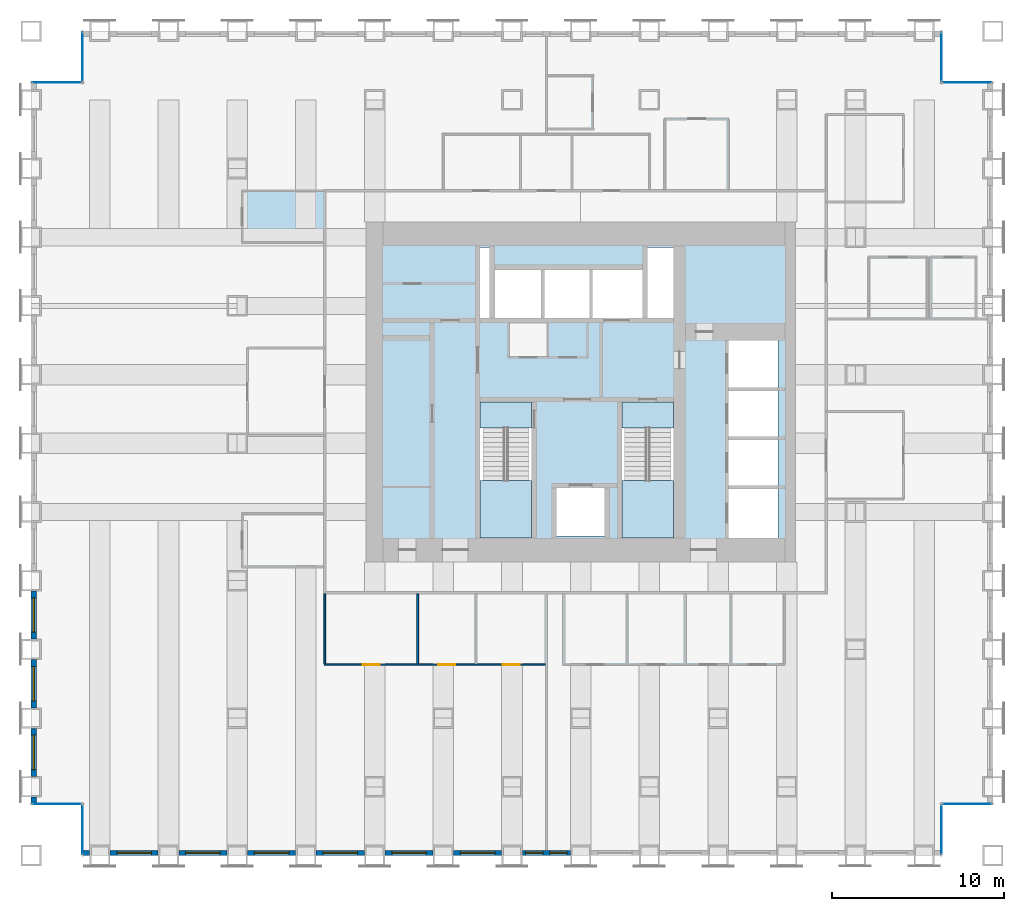
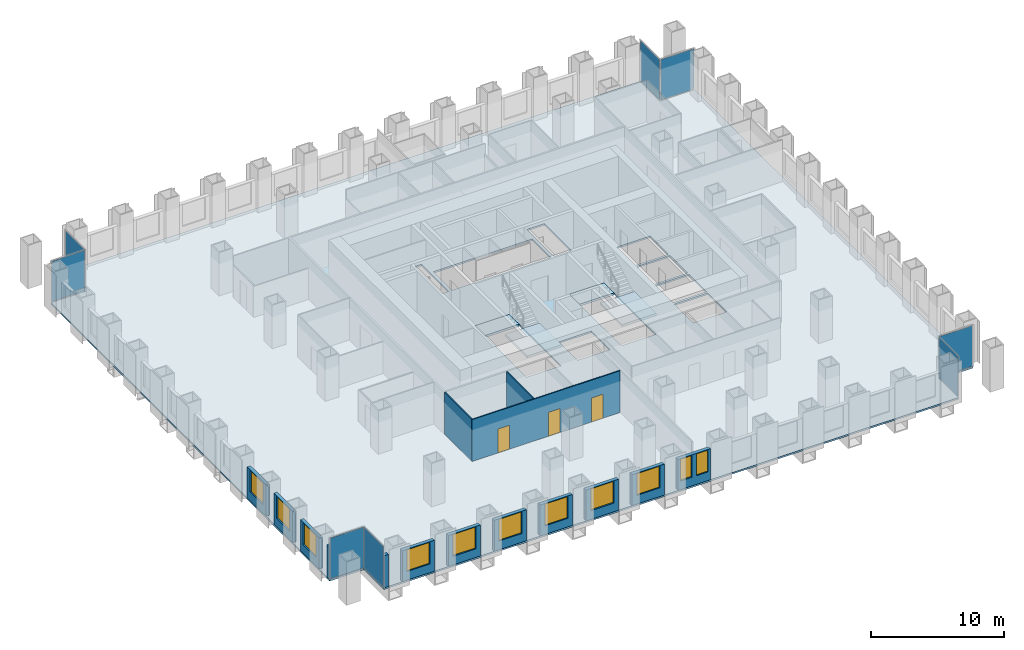
# One storey, part 7 of 14: 15 walls, 11 windows, 8 plates, 5 slabs, 3 doors, 14 openings, 10 elements without a shape of their own.
"""IFC4 building model written with IfcOpenShell, lengths in metres."""

from ifc_helpers import new_model, si_unit, direction, frame, frame_2d, origin, origin_2d, place, context, subcontext, project, spatial, polyline, rectangle, outline, extrude, material, layer, layer_set, type_object, element, fill, aggregate, save


model = new_model("IFC4")

# Units and contexts
model_context = context("Model", 3, precision=1e-05, world=origin(), true_north=direction((0.0, 1.0)))
body_context = subcontext(model_context, "Body", "Model", "MODEL_VIEW")
ifc_project = project(units=[si_unit("LENGTHUNIT", "METRE"), si_unit("AREAUNIT", "SQUARE_METRE"), si_unit("VOLUMEUNIT", "CUBIC_METRE"), si_unit("PLANEANGLEUNIT", "RADIAN"), si_unit("MASSUNIT", "GRAM", prefix="KILO")], contexts=[model_context])

# Site, building, storey
site_placement = place(None, origin())
site = spatial("IfcSite", under=ifc_project, at=site_placement, CompositionType="ELEMENT")
building_placement = place(site_placement, origin())
building = spatial("IfcBuilding", under=site, at=building_placement, Name="Rimbunsela Tower", CompositionType="ELEMENT")
storey_placement = place(building_placement, frame((0.0, 0.0, 47.0)))
storey = spatial("IfcBuildingStorey", under=building, at=storey_placement, Name="L11", CompositionType="ELEMENT", Elevation=47.0)

# Slab
ifc_material_1 = material(Name="Concrete fc' 35 MPa", Category="concrete")
ifc_layer_1 = layer(ifc_material_1, 0.14990234375)
ifc_layer_set_1 = layer_set([ifc_layer_1], Name="Floor slab 150")
slab_type_1 = type_object("IfcSlabType", Name="Floor slab 150", PredefinedType="FLOOR", material=ifc_layer_set_1)
slab_1_placement = place(storey_placement, frame((0.0, 0.0, -0.14990234375)))
element("IfcSlab", 1, at=slab_1_placement, inside=storey, type_object=slab_type_1, Name="Floor slab L11", PredefinedType="FLOOR", context=body_context, shape_type="SweptSolid", body=[
    extrude(outline(polyline([(1.0, 0.0), (51.0, 0.0), (51.0, 3.0), (54.0, 3.0), (54.0, 45.0), (51.0, 45.0), (51.0, 48.0), (1.0, 48.0), (1.0, 45.0), (-2.0, 45.0), (-2.0, 3.0), (1.0, 3.0), (1.0, 0.0)]), holes=[polyline([(27.14990234375, 18.60009765625), (27.14990234375, 26.39990234375), (24.14990234375, 26.39990234375), (24.14990234375, 18.60009765625), (27.14990234375, 18.60009765625)]), polyline([(24.699951171875, 31.300048828125), (24.699951171875, 35.39990234375), (24.14990234375, 35.39990234375), (24.14990234375, 31.300048828125), (24.699951171875, 31.300048828125)]), polyline([(25.0, 34.10009765625), (25.0, 31.300048828125), (33.60009765625, 31.300048828125), (33.60009765625, 34.10009765625), (25.0, 34.10009765625)]), polyline([(31.39990234375, 21.39990234375), (28.60009765625, 21.39990234375), (28.60009765625, 18.60009765625), (31.39990234375, 18.60009765625), (31.39990234375, 21.39990234375)]), polyline([(35.39990234375, 18.60009765625), (35.39990234375, 26.39990234375), (32.39990234375, 26.39990234375), (32.39990234375, 18.60009765625), (35.39990234375, 18.60009765625)]), polyline([(35.39990234375, 31.300048828125), (35.39990234375, 35.39990234375), (33.89990234375, 35.39990234375), (33.89990234375, 31.300048828125), (35.39990234375, 31.300048828125)]), polyline([(41.5, 21.35009765625), (38.60009765625, 21.35009765625), (38.60009765625, 18.5), (41.5, 18.5), (41.5, 21.35009765625)]), polyline([(41.5, 21.550048828125), (41.5, 24.199951171875), (38.60009765625, 24.199951171875), (38.60009765625, 21.550048828125), (41.5, 21.550048828125)]), polyline([(41.5, 27.050048828125), (38.60009765625, 27.050048828125), (38.60009765625, 24.39990234375), (41.5, 24.39990234375), (41.5, 27.050048828125)]), polyline([(41.5, 27.25), (41.5, 30.0), (38.60009765625, 30.0), (38.60009765625, 27.25), (41.5, 27.25)])]), origin(), (0.0, 0.0, 1.0), 0.14990234375),
])

# Curtain wall, plate
ifc_material_2 = material(Name="Aluminium curtain wall", Category="aluminium")
curtain_wall_type = type_object("IfcCurtainWallType", Name="Corner glazing", PredefinedType="USERDEFINED", material=ifc_material_2)
curtain_wall_1_placement = place(storey_placement, origin())
curtain_wall_1 = element("IfcCurtainWall", 2, at=curtain_wall_1_placement, inside=storey, type_object=curtain_wall_type, Name="Corner glazing L11", ObjectType="CORNER GLAZING", PredefinedType="USERDEFINED")
ifc_material_3 = material(Name="Clear double glazing", Category="glass")
ifc_layer_2 = layer(ifc_material_3, 0.028076171875)
ifc_layer_set_2 = layer_set([ifc_layer_2], Name="Glazed panel clear")
plate_type = type_object("IfcPlateType", Name="Glazed panel clear", PredefinedType="CURTAIN_PANEL", material=ifc_layer_set_2)
plate_1_placement = place(storey_placement, frame((51.0, 1.5, 0.06005859375), z_axis=(0.0, 0.0, 1.0), x_axis=(0.0, 1.0, 0.0)))
plate_1 = element("IfcPlate", 3, at=plate_1_placement, type_object=plate_type, Name="CW5 panel 1.1", PredefinedType="CURTAIN_PANEL", context=body_context, shape_type="SweptSolid", body=[
    extrude(rectangle(XDim=2.8798828125, YDim=0.028076171875, at=origin_2d()), origin(), (0.0, 0.0, 1.0), 3.72998046875),
])
aggregate(curtain_wall_1, [plate_1])

curtain_wall_2_placement = place(storey_placement, origin())
curtain_wall_2 = element("IfcCurtainWall", 4, at=curtain_wall_2_placement, inside=storey, type_object=curtain_wall_type, Name="Corner glazing L11", ObjectType="CORNER GLAZING", PredefinedType="USERDEFINED")
plate_2_placement = place(storey_placement, frame((52.5, 3.0, 0.06005859375), z_axis=(0.0, 0.0, 1.0), x_axis=(1.0, 0.0, 0.0)))
plate_2 = element("IfcPlate", 5, at=plate_2_placement, type_object=plate_type, Name="CW5 panel 1.1", PredefinedType="CURTAIN_PANEL", context=body_context, shape_type="SweptSolid", body=[
    extrude(rectangle(XDim=2.8798828125, YDim=0.028076171875, at=origin_2d()), origin(), (0.0, 0.0, 1.0), 3.72998046875),
])
aggregate(curtain_wall_2, [plate_2])

curtain_wall_3_placement = place(storey_placement, origin())
curtain_wall_3 = element("IfcCurtainWall", 6, at=curtain_wall_3_placement, inside=storey, type_object=curtain_wall_type, Name="Corner glazing L11", ObjectType="CORNER GLAZING", PredefinedType="USERDEFINED")
plate_3_placement = place(storey_placement, frame((52.5, 45.0, 0.06005859375), z_axis=(0.0, 0.0, 1.0), x_axis=(-1.0, 0.0, 0.0)))
plate_3 = element("IfcPlate", 7, at=plate_3_placement, type_object=plate_type, Name="CW5 panel 1.1", PredefinedType="CURTAIN_PANEL", context=body_context, shape_type="SweptSolid", body=[
    extrude(rectangle(XDim=2.8798828125, YDim=0.028076171875, at=origin_2d()), origin(), (0.0, 0.0, 1.0), 3.72998046875),
])
aggregate(curtain_wall_3, [plate_3])

curtain_wall_4_placement = place(storey_placement, origin())
curtain_wall_4 = element("IfcCurtainWall", 8, at=curtain_wall_4_placement, inside=storey, type_object=curtain_wall_type, Name="Corner glazing L11", ObjectType="CORNER GLAZING", PredefinedType="USERDEFINED")
plate_4_placement = place(storey_placement, frame((51.0, 46.5, 0.06005859375), z_axis=(0.0, 0.0, 1.0), x_axis=(0.0, 1.0, 0.0)))
plate_4 = element("IfcPlate", 9, at=plate_4_placement, type_object=plate_type, Name="CW5 panel 1.1", PredefinedType="CURTAIN_PANEL", context=body_context, shape_type="SweptSolid", body=[
    extrude(rectangle(XDim=2.8798828125, YDim=0.028076171875, at=origin_2d()), origin(), (0.0, 0.0, 1.0), 3.72998046875),
])
aggregate(curtain_wall_4, [plate_4])

curtain_wall_5_placement = place(storey_placement, origin())
curtain_wall_5 = element("IfcCurtainWall", 10, at=curtain_wall_5_placement, inside=storey, type_object=curtain_wall_type, Name="Corner glazing L11", ObjectType="CORNER GLAZING", PredefinedType="USERDEFINED")
plate_5_placement = place(storey_placement, frame((1.0, 46.5, 0.06005859375), z_axis=(0.0, 0.0, 1.0), x_axis=(0.0, -1.0, 0.0)))
plate_5 = element("IfcPlate", 11, at=plate_5_placement, type_object=plate_type, Name="CW5 panel 1.1", PredefinedType="CURTAIN_PANEL", context=body_context, shape_type="SweptSolid", body=[
    extrude(rectangle(XDim=2.8798828125, YDim=0.028076171875, at=origin_2d()), origin(), (0.0, 0.0, 1.0), 3.72998046875),
])
aggregate(curtain_wall_5, [plate_5])

curtain_wall_6_placement = place(storey_placement, origin())
curtain_wall_6 = element("IfcCurtainWall", 12, at=curtain_wall_6_placement, inside=storey, type_object=curtain_wall_type, Name="Corner glazing L11", ObjectType="CORNER GLAZING", PredefinedType="USERDEFINED")
plate_6_placement = place(storey_placement, frame((-0.5, 45.0, 0.06005859375), z_axis=(0.0, 0.0, 1.0), x_axis=(-1.0, 0.0, 0.0)))
plate_6 = element("IfcPlate", 13, at=plate_6_placement, type_object=plate_type, Name="CW5 panel 1.1", PredefinedType="CURTAIN_PANEL", context=body_context, shape_type="SweptSolid", body=[
    extrude(rectangle(XDim=2.8798828125, YDim=0.028076171875, at=origin_2d()), origin(), (0.0, 0.0, 1.0), 3.72998046875),
])
aggregate(curtain_wall_6, [plate_6])

curtain_wall_7_placement = place(storey_placement, origin())
curtain_wall_7 = element("IfcCurtainWall", 14, at=curtain_wall_7_placement, inside=storey, type_object=curtain_wall_type, Name="Corner glazing L11", ObjectType="CORNER GLAZING", PredefinedType="USERDEFINED")
plate_7_placement = place(storey_placement, frame((-0.5, 3.0, 0.06005859375), z_axis=(0.0, 0.0, 1.0), x_axis=(1.0, 0.0, 0.0)))
plate_7 = element("IfcPlate", 15, at=plate_7_placement, type_object=plate_type, Name="CW5 panel 1.1", PredefinedType="CURTAIN_PANEL", context=body_context, shape_type="SweptSolid", body=[
    extrude(rectangle(XDim=2.8798828125, YDim=0.028076171875, at=origin_2d()), origin(), (0.0, 0.0, 1.0), 3.72998046875),
])
aggregate(curtain_wall_7, [plate_7])

curtain_wall_8_placement = place(storey_placement, origin())
curtain_wall_8 = element("IfcCurtainWall", 16, at=curtain_wall_8_placement, inside=storey, type_object=curtain_wall_type, Name="Corner glazing L11", ObjectType="CORNER GLAZING", PredefinedType="USERDEFINED")
plate_8_placement = place(storey_placement, frame((1.0, 1.5, 0.06005859375), z_axis=(0.0, 0.0, 1.0), x_axis=(0.0, -1.0, 0.0)))
plate_8 = element("IfcPlate", 17, at=plate_8_placement, type_object=plate_type, Name="CW5 panel 1.1", PredefinedType="CURTAIN_PANEL", context=body_context, shape_type="SweptSolid", body=[
    extrude(rectangle(XDim=2.8798828125, YDim=0.028076171875, at=origin_2d()), origin(), (0.0, 0.0, 1.0), 3.72998046875),
])
aggregate(curtain_wall_8, [plate_8])

# Stair, slabs
ifc_material_4 = material(Name="Concrete fc' 35 MPa", Category="concrete")
stair_type = type_object("IfcStairType", Name="Exit stair 24 risers", PredefinedType="HALF_TURN_STAIR", material=ifc_material_4)
stair_1_placement = place(storey_placement, origin())
stair_1 = element("IfcStair", 18, at=stair_1_placement, inside=storey, type_object=stair_type, Name="Exit stair A L11", PredefinedType="HALF_TURN_STAIR")
ifc_material_5 = material(Name="Concrete fc' 35 MPa", Category="concrete")
ifc_layer_3 = layer(ifc_material_5, 0.199951171875)
ifc_layer_set_3 = layer_set([ifc_layer_3], Name="Stair landing 200")
slab_type_2 = type_object("IfcSlabType", Name="Stair landing 200", PredefinedType="LANDING", material=ifc_layer_set_3)
slab_2_placement = place(storey_placement, frame((0.0, 0.0, -0.199951171875)))
slab_2 = element("IfcSlab", 19, at=slab_2_placement, type_object=slab_type_2, Name="ST-A landing 1", PredefinedType="LANDING", context=body_context, shape_type="SweptSolid", body=[
    extrude(outline(polyline([(24.14990234375, 24.89990234375), (27.14990234375, 24.89990234375), (27.14990234375, 26.39990234375), (24.14990234375, 26.39990234375), (24.14990234375, 24.89990234375)])), origin(), (0.0, 0.0, 1.0), 0.199951171875),
])
slab_3_placement = place(storey_placement, frame((0.0, 0.0, 1.800048828125)))
slab_3 = element("IfcSlab", 20, at=slab_3_placement, type_object=slab_type_2, Name="ST-A landing 2", PredefinedType="LANDING", context=body_context, shape_type="SweptSolid", body=[
    extrude(outline(polyline([(24.14990234375, 18.5), (27.14990234375, 18.5), (27.14990234375, 21.820068359375), (24.14990234375, 21.820068359375), (24.14990234375, 18.5)])), origin(), (0.0, 0.0, 1.0), 0.199951171875),
])
aggregate(stair_1, [slab_2, slab_3])

stair_2_placement = place(storey_placement, origin())
stair_2 = element("IfcStair", 21, at=stair_2_placement, inside=storey, type_object=stair_type, Name="Exit stair B L11", PredefinedType="HALF_TURN_STAIR")
slab_4_placement = place(storey_placement, frame((0.0, 0.0, -0.199951171875)))
slab_4 = element("IfcSlab", 22, at=slab_4_placement, type_object=slab_type_2, Name="ST-B landing 1", PredefinedType="LANDING", context=body_context, shape_type="SweptSolid", body=[
    extrude(outline(polyline([(32.39990234375, 24.89990234375), (35.39990234375, 24.89990234375), (35.39990234375, 26.39990234375), (32.39990234375, 26.39990234375), (32.39990234375, 24.89990234375)])), origin(), (0.0, 0.0, 1.0), 0.199951171875),
])
slab_5_placement = place(storey_placement, frame((0.0, 0.0, 1.800048828125)))
slab_5 = element("IfcSlab", 23, at=slab_5_placement, type_object=slab_type_2, Name="ST-B landing 2", PredefinedType="LANDING", context=body_context, shape_type="SweptSolid", body=[
    extrude(outline(polyline([(32.39990234375, 18.5), (35.39990234375, 18.5), (35.39990234375, 21.820068359375), (32.39990234375, 21.820068359375), (32.39990234375, 18.5)])), origin(), (0.0, 0.0, 1.0), 0.199951171875),
])
aggregate(stair_2, [slab_4, slab_5])

# Wall, openings, doors
ifc_material_6 = material(Name="Gypsum board on steel studs", Category="steel")
ifc_layer_4 = layer(ifc_material_6, 0.10009765625)
ifc_layer_set_4 = layer_set([ifc_layer_4], Name="Office partition 100")
wall_type_1 = type_object("IfcWallType", Name="Office partition 100", PredefinedType="PARTITIONING", material=ifc_layer_set_4)
wall_1_placement = place(storey_placement, frame((15.050048828125, 11.10009765625, 0.0), z_axis=(0.0, 0.0, 1.0), x_axis=(1.0, 0.0, 0.0)))
wall_1 = element("IfcWall", 24, at=wall_1_placement, inside=storey, type_object=wall_type_1, Name="Office partition", PredefinedType="PARTITIONING", context=body_context, shape_type="SweptSolid", body=[
    extrude(rectangle(XDim=12.888916015625, YDim=0.10009765625, at=frame_2d((6.4443359375, 0.0))), origin(), (0.0, 0.0, 1.0), 3.85009765625),
])
opening_1_placement = place(wall_1_placement, frame((2.25, 0.0, 0.0)))
opening_1 = element("IfcOpeningElement", 25, at=opening_1_placement, cuts=wall_1, Name="Opening D17", PredefinedType="OPENING", context=body_context, shape_type="SweptSolid", body=[
    extrude(rectangle(XDim=1.0, YDim=2.199951171875, at=frame_2d((0.5, 1.10009765625))), frame((0.0, 0.06005859375, 0.0), z_axis=(0.0, -1.0, 0.0), x_axis=(1.0, 0.0, 0.0)), (0.0, 0.0, 1.0), 0.1201171875),
])
opening_2_placement = place(wall_1_placement, frame((6.64990234375, 0.0, 0.0)))
opening_2 = element("IfcOpeningElement", 26, at=opening_2_placement, cuts=wall_1, Name="Opening D16", PredefinedType="OPENING", context=body_context, shape_type="SweptSolid", body=[
    extrude(rectangle(XDim=1.0, YDim=2.199951171875, at=frame_2d((0.5, 1.10009765625))), frame((0.0, 0.06005859375, 0.0), z_axis=(0.0, -1.0, 0.0), x_axis=(1.0, 0.0, 0.0)), (0.0, 0.0, 1.0), 0.1201171875),
])
opening_3_placement = place(wall_1_placement, frame((10.3994140625, 0.0, 0.0)))
opening_3 = element("IfcOpeningElement", 27, at=opening_3_placement, cuts=wall_1, Name="Opening D16", PredefinedType="OPENING", context=body_context, shape_type="SweptSolid", body=[
    extrude(rectangle(XDim=1.0, YDim=2.199951171875, at=frame_2d((0.5, 1.10009765625))), frame((0.0, 0.06005859375, 0.0), z_axis=(0.0, -1.0, 0.0), x_axis=(1.0, 0.0, 0.0)), (0.0, 0.0, 1.0), 0.1201171875),
])
ifc_material_7 = material(Name="Glazed aluminium door", Category="aluminium")
door_type_1 = type_object("IfcDoorType", Name="Meeting room door 1000 glazed", OperationType="SINGLE_SWING_RIGHT", PredefinedType="DOOR", material=ifc_material_7)
door_1_placement = place(opening_1_placement, origin())
door_1 = element("IfcDoor", 28, at=door_1_placement, inside=storey, type_object=door_type_1, Name="Meeting room door", OperationType="SINGLE_SWING_RIGHT", OverallHeight=2.199951171875, OverallWidth=1.0, PredefinedType="DOOR", context=body_context, shape_type="SweptSolid", body=[
    extrude(rectangle(XDim=1.0, YDim=2.199951171875, at=frame_2d((0.5, 1.10009765625))), frame((0.0, 0.02490234375, 0.0), z_axis=(0.0, -1.0, 0.0), x_axis=(1.0, 0.0, 0.0)), (0.0, 0.0, 1.0), 0.050048828125),
])
fill(opening_1, door_1)
ifc_material_8 = material(Name="Timber door", Category="wood")
door_type_2 = type_object("IfcDoorType", Name="Office door 1000", OperationType="SINGLE_SWING_LEFT", PredefinedType="DOOR", material=ifc_material_8)
door_2_placement = place(opening_2_placement, origin())
door_2 = element("IfcDoor", 29, at=door_2_placement, inside=storey, type_object=door_type_2, Name="Office door", OperationType="SINGLE_SWING_LEFT", OverallHeight=2.199951171875, OverallWidth=1.0, PredefinedType="DOOR", context=body_context, shape_type="SweptSolid", body=[
    extrude(rectangle(XDim=1.0, YDim=2.199951171875, at=frame_2d((0.5, 1.10009765625))), frame((0.0, 0.02490234375, 0.0), z_axis=(0.0, -1.0, 0.0), x_axis=(1.0, 0.0, 0.0)), (0.0, 0.0, 1.0), 0.050048828125),
])
fill(opening_2, door_2)
door_3_placement = place(opening_3_placement, origin())
door_3 = element("IfcDoor", 30, at=door_3_placement, inside=storey, type_object=door_type_2, Name="Office door", OperationType="SINGLE_SWING_LEFT", OverallHeight=2.199951171875, OverallWidth=1.0, PredefinedType="DOOR", context=body_context, shape_type="SweptSolid", body=[
    extrude(rectangle(XDim=1.0, YDim=2.199951171875, at=frame_2d((0.5, 1.10009765625))), frame((0.0, 0.02490234375, 0.0), z_axis=(0.0, -1.0, 0.0), x_axis=(1.0, 0.0, 0.0)), (0.0, 0.0, 1.0), 0.050048828125),
])
fill(opening_3, door_3)

# Walls
for number, where, z_axis, x_axis, name in (
    (31, (15.10009765625, 11.14990234375, 0.0), (0.0, 0.0, 1.0), (0.0, 1.0, 0.0), "Office partition"),
    (32, (20.5, 11.14990234375, 0.0), (0.0, 0.0, 1.0), (0.0, 1.0, 0.0), "Office partition"),
):
    element("IfcWall", number, at=place(storey_placement, frame(where, z_axis=z_axis, x_axis=x_axis)), inside=storey, type_object=wall_type_1, Name=name, PredefinedType="PARTITIONING", context=body_context, shape_type="SweptSolid", body=[
        extrude(rectangle(XDim=4.0751953125, YDim=0.10009765625, at=frame_2d((2.03759765625, 0.0))), origin(), (0.0, 0.0, 1.0), 3.85009765625),
    ])
ifc_material_9 = material(Name="Precast concrete fc' 35 MPa", Category="concrete")
ifc_layer_5 = layer(ifc_material_9, 0.300048828125)
ifc_layer_set_5 = layer_set([ifc_layer_5], Name="Precast concrete fc' 35 MPa")
wall_type_2 = type_object("IfcWallType", Name="Precast facade panel 300", PredefinedType="ELEMENTEDWALL", material=ifc_layer_set_5)
wall_2_placement = place(storey_placement, frame((1.030029296875, 0.14990234375, 0.0), z_axis=(0.0, 0.0, 1.0), x_axis=(1.0, 0.0, 0.0)))
element("IfcWall", 33, at=wall_2_placement, inside=storey, type_object=wall_type_2, Name="Facade panel S L11", PredefinedType="ELEMENTEDWALL", context=body_context, shape_type="SweptSolid", body=[
    extrude(rectangle(XDim=0.369873046875, YDim=0.300048828125, at=frame_2d((0.18505859375, 0.0))), origin(), (0.0, 0.0, 1.0), 2.949951171875),
])

# Wall, opening, window
wall_3_placement = place(storey_placement, frame((2.60009765625, 0.14990234375, 0.0), z_axis=(0.0, 0.0, 1.0), x_axis=(1.0, 0.0, 0.0)))
wall_3 = element("IfcWall", 34, at=wall_3_placement, inside=storey, type_object=wall_type_2, Name="Facade panel S L11", PredefinedType="ELEMENTEDWALL", context=body_context, shape_type="SweptSolid", body=[
    extrude(rectangle(XDim=2.7998046875, YDim=0.300048828125, at=frame_2d((1.39990234375, 0.0))), origin(), (0.0, 0.0, 1.0), 2.85009765625),
])
opening_4_placement = place(wall_3_placement, frame((0.39990234375, 0.0, 0.800048828125)))
opening_4 = element("IfcOpeningElement", 35, at=opening_4_placement, cuts=wall_3, Name="Opening W1", PredefinedType="OPENING", context=body_context, shape_type="SweptSolid", body=[
    extrude(rectangle(XDim=2.0, YDim=2.0, at=frame_2d((1.0, 1.0))), frame((0.0, 0.159912109375, 0.0), z_axis=(0.0, -1.0, 0.0), x_axis=(1.0, 0.0, 0.0)), (0.0, 0.0, 1.0), 0.320068359375),
])
ifc_material_10 = material(Name="Clear glass in aluminium frame", Category="aluminium")
window_type_1 = type_object("IfcWindowType", Name="Window W1 2000x2000", PartitioningType="DOUBLE_PANEL_VERTICAL", PredefinedType="WINDOW", material=ifc_material_10)
window_1_placement = place(opening_4_placement, origin())
window_1 = element("IfcWindow", 36, at=window_1_placement, inside=storey, type_object=window_type_1, Name="Window L11", OverallHeight=2.0, OverallWidth=2.0, PartitioningType="SINGLE_PANEL", PredefinedType="WINDOW", context=body_context, shape_type="SweptSolid", body=[
    extrude(rectangle(XDim=2.0, YDim=2.0, at=frame_2d((1.0, 1.0))), frame((0.0, 0.030029296875, 0.0), z_axis=(0.0, -1.0, 0.0), x_axis=(1.0, 0.0, 0.0)), (0.0, 0.0, 1.0), 0.06005859375),
])
fill(opening_4, window_1)

wall_4_placement = place(storey_placement, frame((6.60009765625, 0.14990234375, 0.0), z_axis=(0.0, 0.0, 1.0), x_axis=(1.0, 0.0, 0.0)))
wall_4 = element("IfcWall", 37, at=wall_4_placement, inside=storey, type_object=wall_type_2, Name="Facade panel S L11", PredefinedType="ELEMENTEDWALL", context=body_context, shape_type="SweptSolid", body=[
    extrude(rectangle(XDim=2.7998046875, YDim=0.300048828125, at=frame_2d((1.39990234375, 0.0))), origin(), (0.0, 0.0, 1.0), 2.85009765625),
])
opening_5_placement = place(wall_4_placement, frame((0.39990234375, 0.0, 0.800048828125)))
opening_5 = element("IfcOpeningElement", 38, at=opening_5_placement, cuts=wall_4, Name="Opening W1", PredefinedType="OPENING", context=body_context, shape_type="SweptSolid", body=[
    extrude(rectangle(XDim=2.0, YDim=2.0, at=frame_2d((1.0, 1.0))), frame((0.0, 0.159912109375, 0.0), z_axis=(0.0, -1.0, 0.0), x_axis=(1.0, 0.0, 0.0)), (0.0, 0.0, 1.0), 0.320068359375),
])
window_2_placement = place(opening_5_placement, origin())
window_2 = element("IfcWindow", 39, at=window_2_placement, inside=storey, type_object=window_type_1, Name="Window L11", OverallHeight=2.0, OverallWidth=2.0, PartitioningType="SINGLE_PANEL", PredefinedType="WINDOW", context=body_context, shape_type="SweptSolid", body=[
    extrude(rectangle(XDim=2.0, YDim=2.0, at=frame_2d((1.0, 1.0))), frame((0.0, 0.030029296875, 0.0), z_axis=(0.0, -1.0, 0.0), x_axis=(1.0, 0.0, 0.0)), (0.0, 0.0, 1.0), 0.06005859375),
])
fill(opening_5, window_2)

wall_5_placement = place(storey_placement, frame((10.60009765625, 0.14990234375, 0.0), z_axis=(0.0, 0.0, 1.0), x_axis=(1.0, 0.0, 0.0)))
wall_5 = element("IfcWall", 40, at=wall_5_placement, inside=storey, type_object=wall_type_2, Name="Facade panel S L11", PredefinedType="ELEMENTEDWALL", context=body_context, shape_type="SweptSolid", body=[
    extrude(rectangle(XDim=2.7998046875, YDim=0.300048828125, at=frame_2d((1.39990234375, 0.0))), origin(), (0.0, 0.0, 1.0), 2.85009765625),
])
opening_6_placement = place(wall_5_placement, frame((0.39990234375, 0.0, 0.800048828125)))
opening_6 = element("IfcOpeningElement", 41, at=opening_6_placement, cuts=wall_5, Name="Opening W1", PredefinedType="OPENING", context=body_context, shape_type="SweptSolid", body=[
    extrude(rectangle(XDim=2.0, YDim=2.0, at=frame_2d((1.0, 1.0))), frame((0.0, 0.159912109375, 0.0), z_axis=(0.0, -1.0, 0.0), x_axis=(1.0, 0.0, 0.0)), (0.0, 0.0, 1.0), 0.320068359375),
])
window_3_placement = place(opening_6_placement, origin())
window_3 = element("IfcWindow", 42, at=window_3_placement, inside=storey, type_object=window_type_1, Name="Window L11", OverallHeight=2.0, OverallWidth=2.0, PartitioningType="SINGLE_PANEL", PredefinedType="WINDOW", context=body_context, shape_type="SweptSolid", body=[
    extrude(rectangle(XDim=2.0, YDim=2.0, at=frame_2d((1.0, 1.0))), frame((0.0, 0.030029296875, 0.0), z_axis=(0.0, -1.0, 0.0), x_axis=(1.0, 0.0, 0.0)), (0.0, 0.0, 1.0), 0.06005859375),
])
fill(opening_6, window_3)

wall_6_placement = place(storey_placement, frame((14.60009765625, 0.14990234375, 0.0), z_axis=(0.0, 0.0, 1.0), x_axis=(1.0, 0.0, 0.0)))
wall_6 = element("IfcWall", 43, at=wall_6_placement, inside=storey, type_object=wall_type_2, Name="Facade panel S L11", PredefinedType="ELEMENTEDWALL", context=body_context, shape_type="SweptSolid", body=[
    extrude(rectangle(XDim=2.7998046875, YDim=0.300048828125, at=frame_2d((1.39990234375, 0.0))), origin(), (0.0, 0.0, 1.0), 2.85009765625),
])
opening_7_placement = place(wall_6_placement, frame((0.39990234375, 0.0, 0.800048828125)))
opening_7 = element("IfcOpeningElement", 44, at=opening_7_placement, cuts=wall_6, Name="Opening W1", PredefinedType="OPENING", context=body_context, shape_type="SweptSolid", body=[
    extrude(rectangle(XDim=2.0, YDim=2.0, at=frame_2d((1.0, 1.0))), frame((0.0, 0.159912109375, 0.0), z_axis=(0.0, -1.0, 0.0), x_axis=(1.0, 0.0, 0.0)), (0.0, 0.0, 1.0), 0.320068359375),
])
window_4_placement = place(opening_7_placement, origin())
window_4 = element("IfcWindow", 45, at=window_4_placement, inside=storey, type_object=window_type_1, Name="Window L11", OverallHeight=2.0, OverallWidth=2.0, PartitioningType="SINGLE_PANEL", PredefinedType="WINDOW", context=body_context, shape_type="SweptSolid", body=[
    extrude(rectangle(XDim=2.0, YDim=2.0, at=frame_2d((1.0, 1.0))), frame((0.0, 0.030029296875, 0.0), z_axis=(0.0, -1.0, 0.0), x_axis=(1.0, 0.0, 0.0)), (0.0, 0.0, 1.0), 0.06005859375),
])
fill(opening_7, window_4)

wall_7_placement = place(storey_placement, frame((18.60009765625, 0.14990234375, 0.0), z_axis=(0.0, 0.0, 1.0), x_axis=(1.0, 0.0, 0.0)))
wall_7 = element("IfcWall", 46, at=wall_7_placement, inside=storey, type_object=wall_type_2, Name="Facade panel S L11", PredefinedType="ELEMENTEDWALL", context=body_context, shape_type="SweptSolid", body=[
    extrude(rectangle(XDim=2.7998046875, YDim=0.300048828125, at=frame_2d((1.39990234375, 0.0))), origin(), (0.0, 0.0, 1.0), 2.85009765625),
])
opening_8_placement = place(wall_7_placement, frame((0.39990234375, 0.0, 0.800048828125)))
opening_8 = element("IfcOpeningElement", 47, at=opening_8_placement, cuts=wall_7, Name="Opening W1", PredefinedType="OPENING", context=body_context, shape_type="SweptSolid", body=[
    extrude(rectangle(XDim=2.0, YDim=2.0, at=frame_2d((1.0, 1.0))), frame((0.0, 0.159912109375, 0.0), z_axis=(0.0, -1.0, 0.0), x_axis=(1.0, 0.0, 0.0)), (0.0, 0.0, 1.0), 0.320068359375),
])
window_5_placement = place(opening_8_placement, origin())
window_5 = element("IfcWindow", 48, at=window_5_placement, inside=storey, type_object=window_type_1, Name="Window L11", OverallHeight=2.0, OverallWidth=2.0, PartitioningType="SINGLE_PANEL", PredefinedType="WINDOW", context=body_context, shape_type="SweptSolid", body=[
    extrude(rectangle(XDim=2.0, YDim=2.0, at=frame_2d((1.0, 1.0))), frame((0.0, 0.030029296875, 0.0), z_axis=(0.0, -1.0, 0.0), x_axis=(1.0, 0.0, 0.0)), (0.0, 0.0, 1.0), 0.06005859375),
])
fill(opening_8, window_5)

wall_8_placement = place(storey_placement, frame((22.60009765625, 0.14990234375, 0.0), z_axis=(0.0, 0.0, 1.0), x_axis=(1.0, 0.0, 0.0)))
wall_8 = element("IfcWall", 49, at=wall_8_placement, inside=storey, type_object=wall_type_2, Name="Facade panel S L11", PredefinedType="ELEMENTEDWALL", context=body_context, shape_type="SweptSolid", body=[
    extrude(rectangle(XDim=2.7998046875, YDim=0.300048828125, at=frame_2d((1.39990234375, 0.0))), origin(), (0.0, 0.0, 1.0), 2.85009765625),
])
opening_9_placement = place(wall_8_placement, frame((0.39990234375, 0.0, 0.800048828125)))
opening_9 = element("IfcOpeningElement", 50, at=opening_9_placement, cuts=wall_8, Name="Opening W1", PredefinedType="OPENING", context=body_context, shape_type="SweptSolid", body=[
    extrude(rectangle(XDim=2.0, YDim=2.0, at=frame_2d((1.0, 1.0))), frame((0.0, 0.159912109375, 0.0), z_axis=(0.0, -1.0, 0.0), x_axis=(1.0, 0.0, 0.0)), (0.0, 0.0, 1.0), 0.320068359375),
])
window_6_placement = place(opening_9_placement, origin())
window_6 = element("IfcWindow", 51, at=window_6_placement, inside=storey, type_object=window_type_1, Name="Window L11", OverallHeight=2.0, OverallWidth=2.0, PartitioningType="SINGLE_PANEL", PredefinedType="WINDOW", context=body_context, shape_type="SweptSolid", body=[
    extrude(rectangle(XDim=2.0, YDim=2.0, at=frame_2d((1.0, 1.0))), frame((0.0, 0.030029296875, 0.0), z_axis=(0.0, -1.0, 0.0), x_axis=(1.0, 0.0, 0.0)), (0.0, 0.0, 1.0), 0.06005859375),
])
fill(opening_9, window_6)

# Wall, openings, windows
wall_9_placement = place(storey_placement, frame((26.60009765625, 0.14990234375, 0.0), z_axis=(0.0, 0.0, 1.0), x_axis=(1.0, 0.0, 0.0)))
wall_9 = element("IfcWall", 52, at=wall_9_placement, inside=storey, type_object=wall_type_2, Name="Facade panel S L11", PredefinedType="ELEMENTEDWALL", context=body_context, shape_type="SweptSolid", body=[
    extrude(rectangle(XDim=2.7998046875, YDim=0.300048828125, at=frame_2d((1.39990234375, 0.0))), origin(), (0.0, 0.0, 1.0), 2.85009765625),
])
opening_10_placement = place(wall_9_placement, frame((0.199951171875, 0.0, 0.800048828125)))
opening_10 = element("IfcOpeningElement", 53, at=opening_10_placement, cuts=wall_9, Name="Opening W5", PredefinedType="OPENING", context=body_context, shape_type="SweptSolid", body=[
    extrude(rectangle(XDim=1.0, YDim=2.0, at=frame_2d((0.5, 1.0))), frame((0.0, 0.159912109375, 0.0), z_axis=(0.0, -1.0, 0.0), x_axis=(1.0, 0.0, 0.0)), (0.0, 0.0, 1.0), 0.320068359375),
])
opening_11_placement = place(wall_9_placement, frame((1.60009765625, 0.0, 0.800048828125)))
opening_11 = element("IfcOpeningElement", 54, at=opening_11_placement, cuts=wall_9, Name="Opening W5", PredefinedType="OPENING", context=body_context, shape_type="SweptSolid", body=[
    extrude(rectangle(XDim=1.0, YDim=2.0, at=frame_2d((0.5, 1.0))), frame((0.0, 0.159912109375, 0.0), z_axis=(0.0, -1.0, 0.0), x_axis=(1.0, 0.0, 0.0)), (0.0, 0.0, 1.0), 0.320068359375),
])
ifc_material_11 = material(Name="Clear glass in aluminium frame", Category="aluminium")
window_type_2 = type_object("IfcWindowType", Name="Window W5 1000x2000", PartitioningType="SINGLE_PANEL", PredefinedType="WINDOW", material=ifc_material_11)
window_7_placement = place(opening_10_placement, origin())
window_7 = element("IfcWindow", 55, at=window_7_placement, inside=storey, type_object=window_type_2, Name="Window L11", OverallHeight=2.0, OverallWidth=1.0, PartitioningType="SINGLE_PANEL", PredefinedType="WINDOW", context=body_context, shape_type="SweptSolid", body=[
    extrude(rectangle(XDim=1.0, YDim=2.0, at=frame_2d((0.5, 1.0))), frame((0.0, 0.030029296875, 0.0), z_axis=(0.0, -1.0, 0.0), x_axis=(1.0, 0.0, 0.0)), (0.0, 0.0, 1.0), 0.06005859375),
])
fill(opening_10, window_7)
window_8_placement = place(opening_11_placement, origin())
window_8 = element("IfcWindow", 56, at=window_8_placement, inside=storey, type_object=window_type_2, Name="Window L11", OverallHeight=2.0, OverallWidth=1.0, PartitioningType="SINGLE_PANEL", PredefinedType="WINDOW", context=body_context, shape_type="SweptSolid", body=[
    extrude(rectangle(XDim=1.0, YDim=2.0, at=frame_2d((0.5, 1.0))), frame((0.0, 0.030029296875, 0.0), z_axis=(0.0, -1.0, 0.0), x_axis=(1.0, 0.0, 0.0)), (0.0, 0.0, 1.0), 0.06005859375),
])
fill(opening_11, window_8)

# Wall
wall_10_placement = place(storey_placement, frame((-1.85009765625, 3.39990234375, 0.0), z_axis=(0.0, 0.0, 1.0), x_axis=(0.0, -1.0, 0.0)))
element("IfcWall", 57, at=wall_10_placement, inside=storey, type_object=wall_type_2, Name="Facade panel W L11", PredefinedType="ELEMENTEDWALL", context=body_context, shape_type="SweptSolid", body=[
    extrude(rectangle(XDim=0.369873046875, YDim=0.300048828125, at=frame_2d((0.18505859375, 0.0))), origin(), (0.0, 0.0, 1.0), 2.949951171875),
])

# Wall, opening, window
wall_11_placement = place(storey_placement, frame((-1.85009765625, 7.39990234375, 0.0), z_axis=(0.0, 0.0, 1.0), x_axis=(0.0, -1.0, 0.0)))
wall_11 = element("IfcWall", 58, at=wall_11_placement, inside=storey, type_object=wall_type_2, Name="Facade panel W L11", PredefinedType="ELEMENTEDWALL", context=body_context, shape_type="SweptSolid", body=[
    extrude(rectangle(XDim=2.7998046875, YDim=0.300048828125, at=frame_2d((1.39990234375, 0.0))), origin(), (0.0, 0.0, 1.0), 2.85009765625),
])
opening_12_placement = place(wall_11_placement, frame((0.39990234375, 0.0, 0.800048828125)))
opening_12 = element("IfcOpeningElement", 59, at=opening_12_placement, cuts=wall_11, Name="Opening W1", PredefinedType="OPENING", context=body_context, shape_type="SweptSolid", body=[
    extrude(rectangle(XDim=2.0, YDim=2.0, at=frame_2d((1.0, 1.0))), frame((0.0, 0.159912109375, 0.0), z_axis=(0.0, -1.0, 0.0), x_axis=(1.0, 0.0, 0.0)), (0.0, 0.0, 1.0), 0.320068359375),
])
window_9_placement = place(opening_12_placement, origin())
window_9 = element("IfcWindow", 60, at=window_9_placement, inside=storey, type_object=window_type_1, Name="Window L11", OverallHeight=2.0, OverallWidth=2.0, PartitioningType="SINGLE_PANEL", PredefinedType="WINDOW", context=body_context, shape_type="SweptSolid", body=[
    extrude(rectangle(XDim=2.0, YDim=2.0, at=frame_2d((1.0, 1.0))), frame((0.0, 0.030029296875, 0.0), z_axis=(0.0, -1.0, 0.0), x_axis=(1.0, 0.0, 0.0)), (0.0, 0.0, 1.0), 0.06005859375),
])
fill(opening_12, window_9)

wall_12_placement = place(storey_placement, frame((-1.85009765625, 11.39990234375, 0.0), z_axis=(0.0, 0.0, 1.0), x_axis=(0.0, -1.0, 0.0)))
wall_12 = element("IfcWall", 61, at=wall_12_placement, inside=storey, type_object=wall_type_2, Name="Facade panel W L11", PredefinedType="ELEMENTEDWALL", context=body_context, shape_type="SweptSolid", body=[
    extrude(rectangle(XDim=2.7998046875, YDim=0.300048828125, at=frame_2d((1.39990234375, 0.0))), origin(), (0.0, 0.0, 1.0), 2.85009765625),
])
opening_13_placement = place(wall_12_placement, frame((0.39990234375, 0.0, 0.800048828125)))
opening_13 = element("IfcOpeningElement", 62, at=opening_13_placement, cuts=wall_12, Name="Opening W1", PredefinedType="OPENING", context=body_context, shape_type="SweptSolid", body=[
    extrude(rectangle(XDim=2.0, YDim=2.0, at=frame_2d((1.0, 1.0))), frame((0.0, 0.159912109375, 0.0), z_axis=(0.0, -1.0, 0.0), x_axis=(1.0, 0.0, 0.0)), (0.0, 0.0, 1.0), 0.320068359375),
])
window_10_placement = place(opening_13_placement, origin())
window_10 = element("IfcWindow", 63, at=window_10_placement, inside=storey, type_object=window_type_1, Name="Window L11", OverallHeight=2.0, OverallWidth=2.0, PartitioningType="SINGLE_PANEL", PredefinedType="WINDOW", context=body_context, shape_type="SweptSolid", body=[
    extrude(rectangle(XDim=2.0, YDim=2.0, at=frame_2d((1.0, 1.0))), frame((0.0, 0.030029296875, 0.0), z_axis=(0.0, -1.0, 0.0), x_axis=(1.0, 0.0, 0.0)), (0.0, 0.0, 1.0), 0.06005859375),
])
fill(opening_13, window_10)

wall_13_placement = place(storey_placement, frame((-1.85009765625, 15.39990234375, 0.0), z_axis=(0.0, 0.0, 1.0), x_axis=(0.0, -1.0, 0.0)))
wall_13 = element("IfcWall", 64, at=wall_13_placement, inside=storey, type_object=wall_type_2, Name="Facade panel W L11", PredefinedType="ELEMENTEDWALL", context=body_context, shape_type="SweptSolid", body=[
    extrude(rectangle(XDim=2.7998046875, YDim=0.300048828125, at=frame_2d((1.39990234375, 0.0))), origin(), (0.0, 0.0, 1.0), 2.85009765625),
])
opening_14_placement = place(wall_13_placement, frame((0.39990234375, 0.0, 0.800048828125)))
opening_14 = element("IfcOpeningElement", 65, at=opening_14_placement, cuts=wall_13, Name="Opening W1", PredefinedType="OPENING", context=body_context, shape_type="SweptSolid", body=[
    extrude(rectangle(XDim=2.0, YDim=2.0, at=frame_2d((1.0, 1.0))), frame((0.0, 0.159912109375, 0.0), z_axis=(0.0, -1.0, 0.0), x_axis=(1.0, 0.0, 0.0)), (0.0, 0.0, 1.0), 0.320068359375),
])
window_11_placement = place(opening_14_placement, origin())
window_11 = element("IfcWindow", 66, at=window_11_placement, inside=storey, type_object=window_type_1, Name="Window L11", OverallHeight=2.0, OverallWidth=2.0, PartitioningType="SINGLE_PANEL", PredefinedType="WINDOW", context=body_context, shape_type="SweptSolid", body=[
    extrude(rectangle(XDim=2.0, YDim=2.0, at=frame_2d((1.0, 1.0))), frame((0.0, 0.030029296875, 0.0), z_axis=(0.0, -1.0, 0.0), x_axis=(1.0, 0.0, 0.0)), (0.0, 0.0, 1.0), 0.06005859375),
])
fill(opening_14, window_11)

save(model, "model.ifc")
